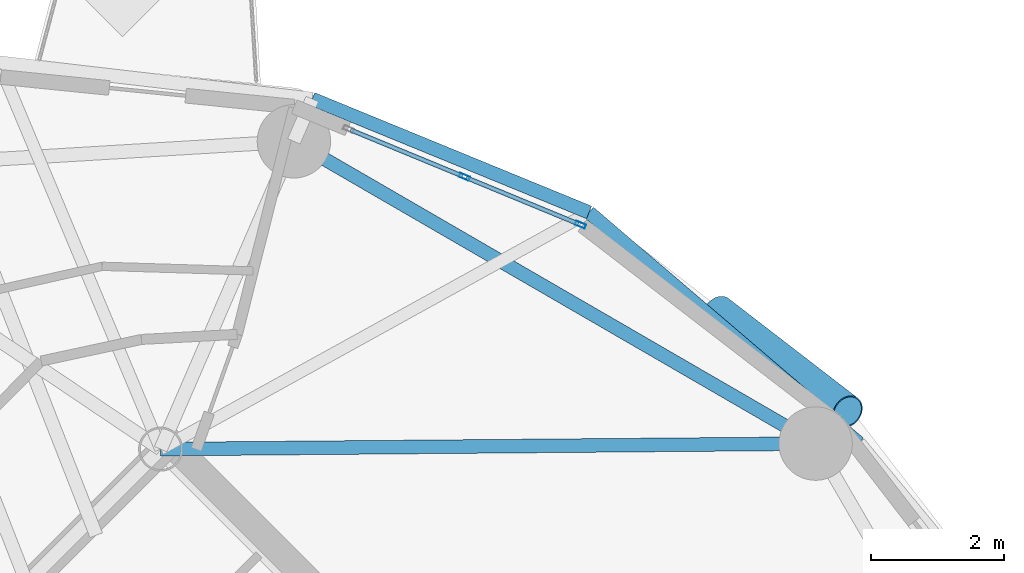
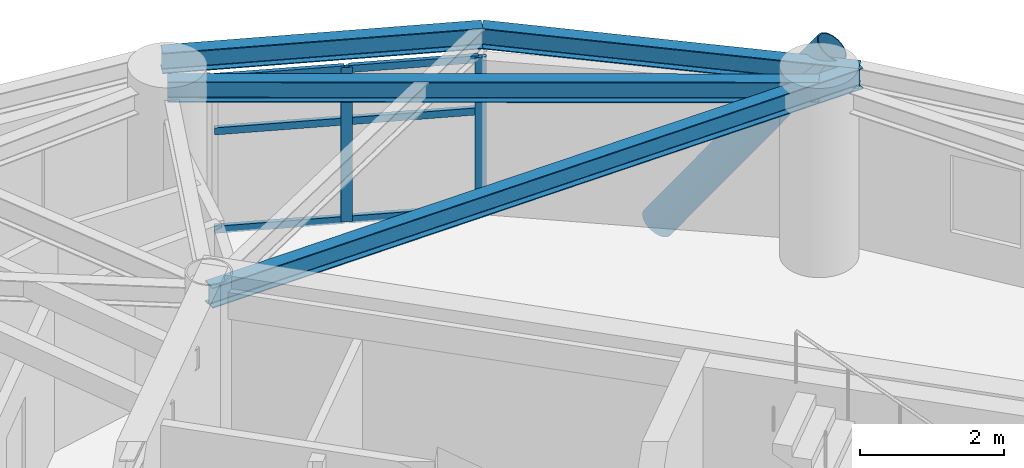
# One storey, part 6 of 17: 9 members, 4 beams, 1 element without a shape of its own.
"""IFC4 building model written with IfcOpenShell, lengths in metres."""

import ifcopenshell
import ifcopenshell.guid

model = None  # the IFC model being written
_history = None  # IfcOwnerHistory: only IFC2X3 demands one
_inside = {}  # id of a spatial element -> (the spatial element, [elements in it])
_under = {}  # id of a project, library or spatial element -> (it, [spatial elements below it])
_declared = {}  # id of a project -> (the project, [libraries it declares])
_typed = {}  # id of a type object -> (the type object, [elements of that type])
_made_of = {}  # id of a material, layer set ... -> (it, [elements and type objects made of it])


def new_model(schema):
    """Start an empty IFC model of exactly this schema.

    Asked for "IFC4X3", IfcOpenShell would pick the latest addendum, in which some entities
    have other attributes; the version numbers below select the first issue.
    IFC2X3 requires an IfcOwnerHistory on every rooted entity: one is made here for all.
    """
    global model, _history
    if schema == "IFC4X3":
        model = ifcopenshell.file(schema_version=(4, 3, 0, 0))
    else:
        model = ifcopenshell.file(schema=schema)
    _inside.clear()
    _under.clear()
    _declared.clear()
    _typed.clear()
    _made_of.clear()
    _history = None
    if model.schema == "IFC2X3":
        org = make("IfcOrganization", Name="unknown")
        user = make(
            "IfcPersonAndOrganization",
            ThePerson=make("IfcPerson", FamilyName="unknown"),
            TheOrganization=org,
        )
        app = make(
            "IfcApplication",
            ApplicationDeveloper=org,
            Version="unknown",
            ApplicationFullName="unknown",
            ApplicationIdentifier="unknown",
        )
        _history = make(
            "IfcOwnerHistory",
            OwningUser=user,
            OwningApplication=app,
            ChangeAction="ADDED",
            CreationDate=0,
        )
    return model


def make(cls, **values):
    """One entity of the class cls with the attributes given. An attribute that is None is left unset."""
    return model.create_entity(
        cls, **{name: value for name, value in values.items() if value is not None}
    )


def rooted(cls, **values):
    """An entity with a GlobalId (a new one), such as an element, a storey or a relation."""
    return make(cls, GlobalId=ifcopenshell.guid.new(), OwnerHistory=_history, **values)


def si_unit(unit_type, name, prefix=None):
    """IfcSIUnit, for example si_unit("LENGTHUNIT", "METRE", prefix="MILLI")."""
    return make("IfcSIUnit", UnitType=unit_type, Prefix=prefix, Name=name)


def assignment(units):
    """IfcUnitAssignment: the units of a project."""
    return None if units is None else make("IfcUnitAssignment", Units=units)


def point(xyz):
    """IfcCartesianPoint."""
    return None if xyz is None else make("IfcCartesianPoint", Coordinates=xyz)


def direction(xyz):
    """IfcDirection."""
    return None if xyz is None else make("IfcDirection", DirectionRatios=xyz)


def frame(location, z_axis=None, x_axis=None):
    """IfcAxis2Placement3D, a coordinate frame: its origin and axes. An axis left out is left unset."""
    return make(
        "IfcAxis2Placement3D",
        Location=point(location),
        Axis=direction(z_axis),
        RefDirection=direction(x_axis),
    )


def frame_2d(location, x_axis=None):
    """IfcAxis2Placement2D, a coordinate frame in the plane: its origin and x axis."""
    return make(
        "IfcAxis2Placement2D", Location=point(location), RefDirection=direction(x_axis)
    )


def origin():
    """The frame at (0, 0, 0) with its axes left unset."""
    return frame((0.0, 0.0, 0.0))


def origin_2d():
    """The frame at (0, 0) in the plane with its x axis left unset."""
    return frame_2d((0.0, 0.0))


def place(relative_to, where):
    """IfcLocalPlacement: puts the frame where relative to a parent placement (None: the world)."""
    return make(
        "IfcLocalPlacement", PlacementRelTo=relative_to, RelativePlacement=where
    )


def context(
    kind, dimensions, precision=None, world=None, true_north=None, identifier=None
):
    """IfcGeometricRepresentationContext, for example the 3D "Model" context."""
    return make(
        "IfcGeometricRepresentationContext",
        ContextIdentifier=identifier,
        ContextType=kind,
        CoordinateSpaceDimension=dimensions,
        Precision=precision,
        WorldCoordinateSystem=world,
        TrueNorth=true_north,
    )


def subcontext(parent, identifier, kind, view, scale=None):
    """IfcGeometricRepresentationSubContext, for example "Body" below "Model"."""
    return make(
        "IfcGeometricRepresentationSubContext",
        ContextIdentifier=identifier,
        ContextType=kind,
        ParentContext=parent,
        TargetScale=scale,
        TargetView=view,
    )


def project(units=None, contexts=None):
    """IfcProject with its units and contexts."""
    return rooted(
        "IfcProject",
        Name="project",
        RepresentationContexts=contexts,
        UnitsInContext=assignment(units),
    )


def spatial(cls, under=None, at=None, **own):
    """A site, building, storey or space (cls), placed at a placement, below another one or the project."""
    s = rooted(cls, ObjectPlacement=at, **own)
    if under is not None:
        _under.setdefault(under.id(), (under, []))[1].append(s)
    return s


def profile(cls, at=None, kind="AREA", **sizes):
    """A parametric profile (cls). Its sizes go by their IFC names, for example OverallWidth=200.0."""
    return make(cls, ProfileType=kind, Position=at, **sizes)


def hollow_rectangle(**sizes):
    """IfcRectangleHollowProfileDef."""
    return profile("IfcRectangleHollowProfileDef", **sizes)


def hollow_circle(**sizes):
    """IfcCircleHollowProfileDef."""
    return profile("IfcCircleHollowProfileDef", **sizes)


def i_section(**sizes):
    """IfcIShapeProfileDef."""
    return profile("IfcIShapeProfileDef", **sizes)


def extrude(swept, where, along, depth):
    """IfcExtrudedAreaSolid: the profile swept, set in the frame where, extruded along a direction by depth."""
    return make(
        "IfcExtrudedAreaSolid",
        SweptArea=swept,
        Position=where,
        ExtrudedDirection=direction(along),
        Depth=depth,
    )


def shape(context_of_items, identifier, shape_type, items):
    """IfcShapeRepresentation: the items that make up one representation, for example the "Body"."""
    return make(
        "IfcShapeRepresentation",
        ContextOfItems=context_of_items,
        RepresentationIdentifier=identifier,
        RepresentationType=shape_type,
        Items=items,
    )


def material(Name=None, Category=None):
    """IfcMaterial."""
    return make("IfcMaterial", Name=Name, Category=Category)


def layer(
    of_material, thickness, ventilated=None, Name=None, Category=None, Priority=None
):
    """IfcMaterialLayer: one layer of a wall or slab, of a material (None: an air gap)."""
    return make(
        "IfcMaterialLayer",
        Material=of_material,
        LayerThickness=thickness,
        IsVentilated=ventilated,
        Name=Name,
        Category=Category,
        Priority=Priority,
    )


def layer_set(layers, Name=None):
    """IfcMaterialLayerSet."""
    return make("IfcMaterialLayerSet", MaterialLayers=layers, LayerSetName=Name)


def material_profile(
    of_material, cross_section, Name=None, Category=None, Priority=None
):
    """IfcMaterialProfile: a cross section and its material."""
    return make(
        "IfcMaterialProfile",
        Name=Name,
        Material=of_material,
        Profile=cross_section,
        Priority=Priority,
        Category=Category,
    )


def profile_set(profiles, Name=None, composite=None):
    """IfcMaterialProfileSet."""
    return make(
        "IfcMaterialProfileSet",
        Name=Name,
        MaterialProfiles=profiles,
        CompositeProfile=composite,
    )


def made_of(thing, what):
    """Note that an element or type object is made of a material, layer set ...; save() writes the relation."""
    if what is not None:
        _made_of.setdefault(what.id(), (what, []))[1].append(thing)
    return thing


def type_object(cls, material=None, **own):
    """A type object (cls), such as IfcWallType, which elements share."""
    return made_of(rooted(cls, **own), material)


def element(
    cls,
    number,
    at=None,
    inside=None,
    cuts=None,
    type_object=None,
    material=None,
    context=None,
    identifier="Body",
    shape_type=None,
    held_by="IfcProductDefinitionShape",
    body=None,
    shapes=None,
    **own,
):
    """One element of the class cls, such as IfcWall. Its Tag is "e" and its number.

    at: its placement. inside: the storey or other place that contains it. cuts: it is an
    opening in that element (IfcRelVoidsElement). A single representation is given by context,
    identifier, shape_type and body (its items); several are given by shapes. held_by: the class
    of the entity that holds the representations. save() writes the other relations.
    """
    e = rooted(cls, Tag="e%d" % number, ObjectPlacement=at, **own)
    if body is not None:
        shapes = [shape(context, identifier, shape_type, body)]
    if shapes is not None:
        e.Representation = make(held_by, Representations=shapes)
    if inside is not None:
        _inside.setdefault(inside.id(), (inside, []))[1].append(e)
    if cuts is not None:
        rooted(
            "IfcRelVoidsElement", RelatingBuildingElement=cuts, RelatedOpeningElement=e
        )
    if type_object is not None:
        _typed.setdefault(type_object.id(), (type_object, []))[1].append(e)
    return made_of(e, material)


def aggregate(whole, parts):
    """IfcRelAggregates: a whole, such as a stair, and the parts it consists of."""
    return rooted("IfcRelAggregates", RelatingObject=whole, RelatedObjects=parts)


def save(model, path):
    """Write the relations noted so far, then the file.

    IfcRelAggregates (storeys below a building ...), IfcRelContainedInSpatialStructure (elements
    in a storey), IfcRelDefinesByType, IfcRelAssociatesMaterial and IfcRelDeclares: one each for
    every whole, place, type object, material and project.
    """
    for whole, parts in _under.values():
        aggregate(whole, parts)
    for where, things in _inside.values():
        rooted(
            "IfcRelContainedInSpatialStructure",
            RelatedElements=things,
            RelatingStructure=where,
        )
    for kind, things in _typed.values():
        rooted("IfcRelDefinesByType", RelatedObjects=things, RelatingType=kind)
    for what, things in _made_of.values():
        rooted("IfcRelAssociatesMaterial", RelatedObjects=things, RelatingMaterial=what)
    for by, libraries in _declared.values():
        rooted("IfcRelDeclares", RelatingContext=by, RelatedDefinitions=libraries)
    model.write(path)


model = new_model("IFC4")

# Units and contexts
model_context = context("Model", 3, precision=1e-05, world=origin(), true_north=direction((0.0, 1.0)))
body_context = subcontext(model_context, "Body", "Model", "MODEL_VIEW")
ifc_project = project(units=[si_unit("LENGTHUNIT", "METRE"), si_unit("AREAUNIT", "SQUARE_METRE"), si_unit("VOLUMEUNIT", "CUBIC_METRE"), si_unit("PLANEANGLEUNIT", "RADIAN"), si_unit("MASSUNIT", "GRAM", prefix="KILO")], contexts=[model_context])

# Site, building, storey
site_placement = place(None, origin())
site = spatial("IfcSite", under=ifc_project, at=site_placement, CompositionType="ELEMENT")
building_placement = place(site_placement, origin())
building = spatial("IfcBuilding", under=site, at=building_placement, Name="Cununo Teusaquillo Station Towers", CompositionType="ELEMENT")
storey_placement = place(building_placement, frame((0.0, 0.0, 222.85009765625)))
storey = spatial("IfcBuildingStorey", under=building, at=storey_placement, Name="L71", CompositionType="ELEMENT", Elevation=222.85009765625)

# Beams
ifc_material_1 = material(Name="Steel ASTM A572 Grade 50", Category="steel")
ifc_material_profile_1 = material_profile(ifc_material_1, i_section(OverallWidth=0.2041015625, OverallDepth=0.35009765625, WebThickness=0.008544921875, FlangeThickness=0.01513671875, FilletRadius=0.011962890625, at=origin_2d()), Name="W14X48")
ifc_profile_set_1 = profile_set([ifc_material_profile_1], Name="Steel ASTM A572 Grade 50")
beam_type_1 = type_object("IfcBeamType", Name="BM-RAD-G3", PredefinedType="BEAM", material=ifc_profile_set_1)
beam_1_placement = place(storey_placement, frame((56.29443359375, 33.024169921875, 2.81494140625), z_axis=(0.999964325253, 0.008446787673, 0.0), x_axis=(-0.008446787673, 0.999964325253, 0.0)))
element("IfcBeam", 1, at=beam_1_placement, inside=storey, type_object=beam_type_1, Name="L71 Tower B Continuous Overhanging Radial Girder 01", PredefinedType="BEAM", context=body_context, shape_type="SweptSolid", body=[
    extrude(i_section(OverallWidth=0.2041015625, OverallDepth=0.35009765625, WebThickness=0.008544921875, FlangeThickness=0.01513671875, FilletRadius=0.011962890625, at=origin_2d()), origin(), (0.0, 0.0, 1.0), 10.463134765625),
])
ifc_material_2 = material(Name="Steel ASTM A572 Grade 50", Category="steel")
ifc_material_profile_2 = material_profile(ifc_material_2, i_section(OverallWidth=0.2041015625, OverallDepth=0.35009765625, WebThickness=0.008544921875, FlangeThickness=0.01513671875, FilletRadius=0.011962890625, at=origin_2d()), Name="W14X48")
ifc_profile_set_2 = profile_set([ifc_material_profile_2], Name="Steel ASTM A572 Grade 50")
beam_type_2 = type_object("IfcBeamType", Name="BM-RING-Z4", PredefinedType="SPANDREL", material=ifc_profile_set_2)
beam_2_placement = place(storey_placement, frame((66.10693359375, 33.10693359375, 2.81494140625), z_axis=(-0.865267103202, 0.501311121078, 0.0), x_axis=(-0.501311121078, -0.865267103202, 0.0)))
element("IfcBeam", 2, at=beam_2_placement, inside=storey, type_object=beam_type_2, Name="L71 Tower B Structural Column Ring Girder 01", PredefinedType="SPANDREL", context=body_context, shape_type="SweptSolid", body=[
    extrude(i_section(OverallWidth=0.2041015625, OverallDepth=0.35009765625, WebThickness=0.008544921875, FlangeThickness=0.01513671875, FilletRadius=0.011962890625, at=origin_2d()), origin(), (0.0, 0.0, 1.0), 9.032958984375),
])
beam_3_placement = place(storey_placement, frame((66.757080078125, 33.112548828125, 2.81494140625), z_axis=(-0.760065778291, 0.649846145385, 0.0), x_axis=(-0.649846145385, -0.760065778291, 0.0)))
element("IfcBeam", 3, at=beam_3_placement, inside=storey, type_object=beam_type_2, Name="L71 Tower B Spandrel Ring Beam 01", PredefinedType="SPANDREL", context=body_context, shape_type="SweptSolid", body=[
    extrude(i_section(OverallWidth=0.2041015625, OverallDepth=0.35009765625, WebThickness=0.008544921875, FlangeThickness=0.01513671875, FilletRadius=0.011962890625, at=origin_2d()), origin(), (0.0, 0.0, 1.0), 5.320556640625),
])
beam_4_placement = place(storey_placement, frame((62.713134765625, 36.570068359375, 2.81494140625), z_axis=(-0.925283830437, 0.379275405388, 0.0), x_axis=(-0.379275405388, -0.925283830437, 0.0)))
element("IfcBeam", 4, at=beam_4_placement, inside=storey, type_object=beam_type_2, Name="L71 Tower B Spandrel Ring Beam 02", PredefinedType="SPANDREL", context=body_context, shape_type="SweptSolid", body=[
    extrude(i_section(OverallWidth=0.2041015625, OverallDepth=0.35009765625, WebThickness=0.008544921875, FlangeThickness=0.01513671875, FilletRadius=0.011962890625, at=origin_2d()), origin(), (0.0, 0.0, 1.0), 4.482177734375),
])

# Curtain wall, members
ifc_material_3 = material(Name="Ceramic-fritted dark low-E double glazing", Category="glass")
ifc_layer = layer(ifc_material_3, 0.179931640625)
ifc_layer_set = layer_set([ifc_layer], Name="Ceramic-fritted dark low-E double glazing")
curtain_wall_type = type_object("IfcCurtainWallType", Name="CW-SYS-07", PredefinedType="USERDEFINED", material=ifc_layer_set)
curtain_wall_placement = place(storey_placement, origin())
curtain_wall = element("IfcCurtainWall", 5, at=curtain_wall_placement, inside=storey, type_object=curtain_wall_type, Name="L71 Tower B Facade Curtain Wall C01", ObjectType="FRITTED GLAZING", PredefinedType="USERDEFINED")
ifc_material_4 = material(Name="Anodised dark bronze aluminium EN AW-6063-T6", Category="aluminium")
ifc_material_profile_3 = material_profile(ifc_material_4, hollow_rectangle(XDim=0.06494140625, YDim=0.159912109375, WallThickness=0.00390625, at=origin_2d()), Name="CW-MULL-65x160")
ifc_profile_set_3 = profile_set([ifc_material_profile_3], Name="Anodised dark bronze aluminium EN AW-6063-T6")
member_type_1 = type_object("IfcMemberType", Name="CWM-160", PredefinedType="MULLION", material=ifc_profile_set_3)
member_1_placement = place(storey_placement, frame((60.84716796875, 37.102294921875, 0.0), z_axis=(0.0, 0.0, 1.0), x_axis=(0.381310513086, 0.924447019904, 0.0)))
member_1 = element("IfcMember", 6, at=member_1_placement, type_object=member_type_1, Name="CW-07 mullion 2", PredefinedType="MULLION", context=body_context, shape_type="SweptSolid", body=[
    extrude(hollow_rectangle(XDim=0.06494140625, YDim=0.159912109375, WallThickness=0.00390625, at=origin_2d()), origin(), (0.0, 0.0, 1.0), 2.61181640625),
])
member_2_placement = place(storey_placement, frame((62.583251953125, 36.38623046875, 0.0), z_axis=(0.0, 0.0, 1.0), x_axis=(0.381310513086, 0.924447019904, 0.0)))
member_2 = element("IfcMember", 7, at=member_2_placement, type_object=member_type_1, Name="CW-07 mullion 3", PredefinedType="MULLION", context=body_context, shape_type="SweptSolid", body=[
    extrude(hollow_rectangle(XDim=0.06494140625, YDim=0.159912109375, WallThickness=0.00390625, at=origin_2d()), origin(), (0.0, 0.0, 1.0), 2.61181640625),
])
ifc_material_5 = material(Name="Anodised dark bronze aluminium EN AW-6063-T6", Category="aluminium")
ifc_material_profile_4 = material_profile(ifc_material_5, hollow_rectangle(XDim=0.06494140625, YDim=0.1201171875, WallThickness=0.00390625, at=origin_2d()), Name="CW-TRAN-65x120")
ifc_profile_set_4 = profile_set([ifc_material_profile_4], Name="Anodised dark bronze aluminium EN AW-6063-T6")
member_type_2 = type_object("IfcMemberType", Name="CWT-120", PredefinedType="USERDEFINED", material=ifc_profile_set_4)
member_3_placement = place(storey_placement, frame((59.141357421875, 37.805908203125, 0.032470703125), z_axis=(0.924457591038, -0.381284883483, 0.0), x_axis=(0.381284883483, 0.924457591038, 0.0)))
member_3 = element("IfcMember", 8, at=member_3_placement, type_object=member_type_2, Name="CW-07 transom 1.1", ObjectType="TRANSOM", PredefinedType="USERDEFINED", context=body_context, shape_type="SweptSolid", body=[
    extrude(hollow_rectangle(XDim=0.06494140625, YDim=0.1201171875, WallThickness=0.00390625, at=origin_2d()), origin(), (0.0, 0.0, 1.0), 1.812744140625),
])
member_4_placement = place(storey_placement, frame((59.141357421875, 37.805908203125, 1.697998046875), z_axis=(0.924457591038, -0.381284883483, 0.0), x_axis=(0.381284883483, 0.924457591038, 0.0)))
member_4 = element("IfcMember", 9, at=member_4_placement, type_object=member_type_2, Name="CW-07 transom 1.2", ObjectType="TRANSOM", PredefinedType="USERDEFINED", context=body_context, shape_type="SweptSolid", body=[
    extrude(hollow_rectangle(XDim=0.06494140625, YDim=0.1201171875, WallThickness=0.00390625, at=origin_2d()), origin(), (0.0, 0.0, 1.0), 1.812744140625),
])
member_5_placement = place(storey_placement, frame((59.141357421875, 37.805908203125, 2.579345703125), z_axis=(0.924457591038, -0.381284883483, 0.0), x_axis=(0.381284883483, 0.924457591038, 0.0)))
member_5 = element("IfcMember", 10, at=member_5_placement, type_object=member_type_2, Name="CW-07 transom 1.3", ObjectType="TRANSOM", PredefinedType="USERDEFINED", context=body_context, shape_type="SweptSolid", body=[
    extrude(hollow_rectangle(XDim=0.06494140625, YDim=0.1201171875, WallThickness=0.00390625, at=origin_2d()), origin(), (0.0, 0.0, 1.0), 1.812744140625),
])
member_6_placement = place(storey_placement, frame((60.877197265625, 37.08984375, 0.032470703125), z_axis=(0.92447716721, -0.381237415932, 0.0), x_axis=(0.381237415932, 0.92447716721, 0.0)))
member_6 = element("IfcMember", 11, at=member_6_placement, type_object=member_type_2, Name="CW-07 transom 2.1", ObjectType="TRANSOM", PredefinedType="USERDEFINED", context=body_context, shape_type="SweptSolid", body=[
    extrude(hollow_rectangle(XDim=0.06494140625, YDim=0.1201171875, WallThickness=0.00390625, at=origin_2d()), origin(), (0.0, 0.0, 1.0), 1.81298828125),
])
member_7_placement = place(storey_placement, frame((60.877197265625, 37.08984375, 1.697998046875), z_axis=(0.92447716721, -0.381237415932, 0.0), x_axis=(0.381237415932, 0.92447716721, 0.0)))
member_7 = element("IfcMember", 12, at=member_7_placement, type_object=member_type_2, Name="CW-07 transom 2.2", ObjectType="TRANSOM", PredefinedType="USERDEFINED", context=body_context, shape_type="SweptSolid", body=[
    extrude(hollow_rectangle(XDim=0.06494140625, YDim=0.1201171875, WallThickness=0.00390625, at=origin_2d()), origin(), (0.0, 0.0, 1.0), 1.81298828125),
])
member_8_placement = place(storey_placement, frame((60.877197265625, 37.08984375, 2.579345703125), z_axis=(0.92447716721, -0.381237415932, 0.0), x_axis=(0.381237415932, 0.92447716721, 0.0)))
member_8 = element("IfcMember", 13, at=member_8_placement, type_object=member_type_2, Name="CW-07 transom 2.3", ObjectType="TRANSOM", PredefinedType="USERDEFINED", context=body_context, shape_type="SweptSolid", body=[
    extrude(hollow_rectangle(XDim=0.06494140625, YDim=0.1201171875, WallThickness=0.00390625, at=origin_2d()), origin(), (0.0, 0.0, 1.0), 1.81298828125),
])
aggregate(curtain_wall, [member_1, member_2, member_3, member_4, member_5, member_6, member_7, member_8])

# Member
ifc_material_6 = material(Name="Steel EN 10025-2 S355J2", Category="steel")
ifc_material_profile_5 = material_profile(ifc_material_6, hollow_circle(Radius=0.25390625, WallThickness=0.01806640625, at=origin_2d()), Name="CHS 508x18")
ifc_profile_set_5 = profile_set([ifc_material_profile_5], Name="Steel EN 10025-2 S355J2")
member_type_3 = type_object("IfcMemberType", Name="MBR-DIAG-Z4", PredefinedType="BRACE", material=ifc_profile_set_5)
member_9_placement = place(storey_placement, frame((64.649658203125, 35.078125, -0.14013671875), z_axis=(0.480900062149, -0.370496757412, 0.794649157159), x_axis=(0.610304239587, 0.792167113141, 0.0)))
element("IfcMember", 14, at=member_9_placement, inside=storey, type_object=member_type_3, Name="L71 Tower B Folded-Zigzag Diagrid Tube C00", PredefinedType="BRACE", context=body_context, shape_type="SweptSolid", body=[
    extrude(hollow_circle(Radius=0.25390625, WallThickness=0.01806640625, at=origin_2d()), origin(), (0.0, 0.0, 1.0), 4.02685546875),
])

save(model, "model.ifc")
